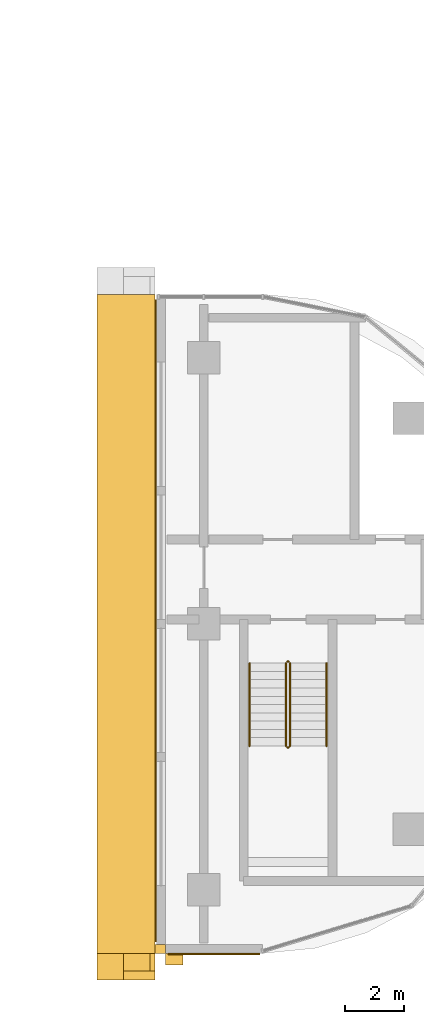
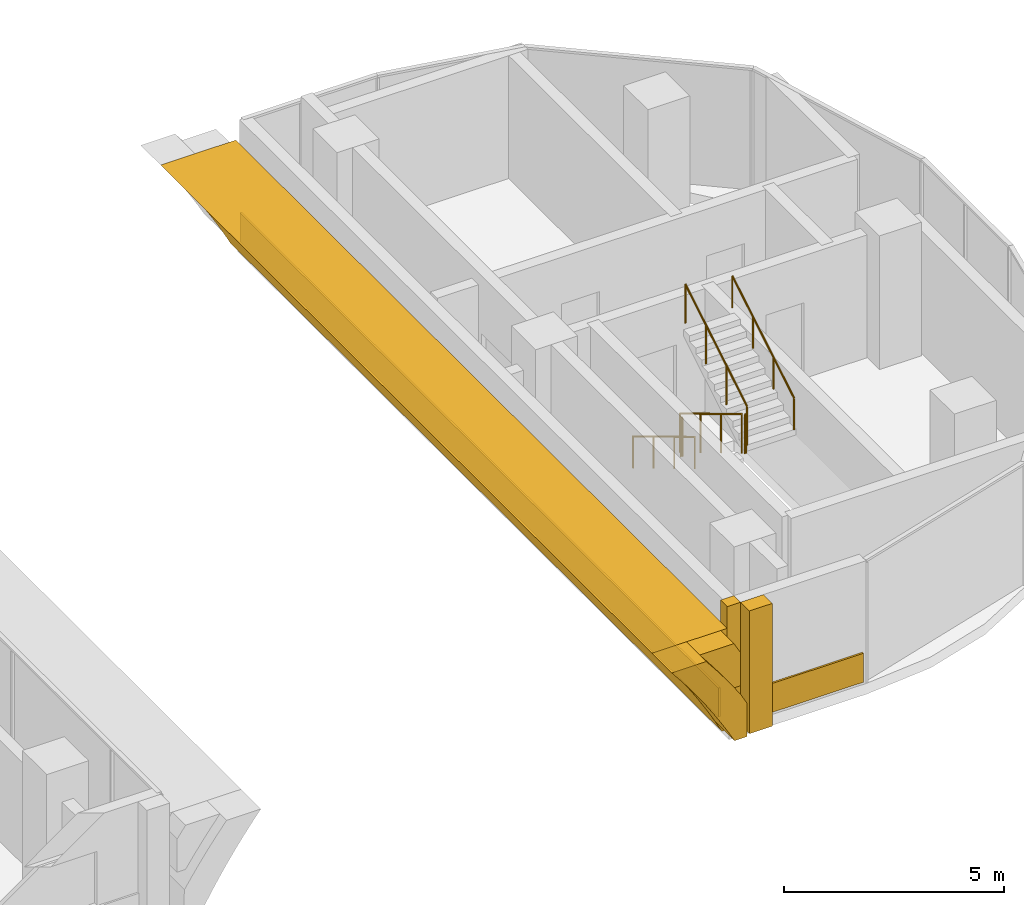
# One storey, part 21 of 23: 7 coverings, 6 railings.
"""IFC4 building model written with IfcOpenShell, lengths in metres."""

from ifc_helpers import new_model, si_unit, direction, frame, origin, origin_2d, place, context, subcontext, project, spatial, polyline, rectangle, circle, outline, extrude, material, layer, layer_set, type_object, element, save


model = new_model("IFC4")

# Units and contexts
model_context = context("Model", 3, precision=1e-05, world=origin(), true_north=direction((0.0, 1.0)))
body_context = subcontext(model_context, "Body", "Model", "MODEL_VIEW")
ifc_project = project(units=[si_unit("LENGTHUNIT", "METRE"), si_unit("AREAUNIT", "SQUARE_METRE"), si_unit("VOLUMEUNIT", "CUBIC_METRE"), si_unit("PLANEANGLEUNIT", "RADIAN"), si_unit("MASSUNIT", "GRAM", prefix="KILO")], contexts=[model_context])

# Site, building, storey
site_placement = place(None, origin())
site = spatial("IfcSite", under=ifc_project, at=site_placement, CompositionType="ELEMENT")
building_placement = place(site_placement, origin())
building = spatial("IfcBuilding", under=site, at=building_placement, Name="Ogive Portal Towers", CompositionType="ELEMENT")
storey_placement = place(building_placement, frame((0.0, 0.0, 175.5)))
storey = spatial("IfcBuildingStorey", under=building, at=storey_placement, Name="L43", CompositionType="ELEMENT", Elevation=175.5)

# Railings
ifc_material_1 = material(Name="Stainless steel balustrade", Category="steel")
railing_type_1 = type_object("IfcRailingType", Name="INT-GUARD", PredefinedType="GUARDRAIL", material=ifc_material_1)
railing_1_placement = place(storey_placement, frame((88.280029296875, 29.169921875, 0.168212890625)))
element("IfcRailing", 1, at=railing_1_placement, inside=storey, type_object=railing_type_1, Name="L43 ST-A4 stair guard 1", PredefinedType="GUARDRAIL", context=body_context, shape_type="SweptSolid", body=[
    extrude(circle(Radius=0.02392578125, at=origin_2d()), frame((0.0, 0.0, 1.076171875), z_axis=(0.0, -0.857222391501, 0.514946377315), x_axis=(1.0, 0.0, 0.0)), (0.0, 0.0, 1.0), 3.26611328125),
    extrude(circle(Radius=0.02099609375, at=origin_2d()), origin(), (0.0, 0.0, 1.0), 1.052001953125),
    extrude(circle(Radius=0.02099609375, at=origin_2d()), frame((0.0, -0.933349609375, 0.560546875)), (0.0, 0.0, 1.0), 1.052001953125),
    extrude(circle(Radius=0.02099609375, at=origin_2d()), frame((0.0, -1.866455078125, 1.121337890625)), (0.0, 0.0, 1.0), 1.052001953125),
    extrude(circle(Radius=0.02099609375, at=origin_2d()), frame((0.0, -2.7998046875, 1.681884765625)), (0.0, 0.0, 1.0), 1.052001953125),
])
railing_2_placement = place(storey_placement, frame((88.330078125, 26.320068359375, 1.85009765625)))
element("IfcRailing", 2, at=railing_2_placement, inside=storey, type_object=railing_type_1, Name="L43 ST-A4 stair guard 2", PredefinedType="GUARDRAIL", context=body_context, shape_type="SweptSolid", body=[
    extrude(circle(Radius=0.02392578125, at=origin_2d()), frame((0.0, 0.0, 1.076171875), z_axis=(1.0, 0.0, 0.0), x_axis=(0.0, 1.0, 0.0)), (0.0, 0.0, 1.0), 0.0400390625),
    extrude(circle(Radius=0.02099609375, at=origin_2d()), origin(), (0.0, 0.0, 1.0), 1.052001953125),
    extrude(circle(Radius=0.02099609375, at=origin_2d()), frame((0.0400390625, 0.0, 0.0)), (0.0, 0.0, 1.0), 1.052001953125),
])
railing_3_placement = place(storey_placement, frame((88.419921875, 26.3701171875, 2.01806640625)))
element("IfcRailing", 3, at=railing_3_placement, inside=storey, type_object=railing_type_1, Name="L43 ST-A4 stair guard 3", PredefinedType="GUARDRAIL", context=body_context, shape_type="SweptSolid", body=[
    extrude(circle(Radius=0.02392578125, at=origin_2d()), frame((0.0, 0.0, 1.076171875), z_axis=(0.0, 0.857222391501, 0.514946377315), x_axis=(-1.0, 0.0, 0.0)), (0.0, 0.0, 1.0), 3.26611328125),
    extrude(circle(Radius=0.02099609375, at=origin_2d()), origin(), (0.0, 0.0, 1.0), 1.052001953125),
    extrude(circle(Radius=0.02099609375, at=origin_2d()), frame((0.0, 0.933349609375, 0.560546875)), (0.0, 0.0, 1.0), 1.052001953125),
    extrude(circle(Radius=0.02099609375, at=origin_2d()), frame((0.0, 1.866455078125, 1.121337890625)), (0.0, 0.0, 1.0), 1.052001953125),
    extrude(circle(Radius=0.02099609375, at=origin_2d()), frame((0.0, 2.7998046875, 1.681884765625)), (0.0, 0.0, 1.0), 1.052001953125),
])
railing_4_placement = place(storey_placement, frame((88.330078125, 29.219970703125, 0.0)))
element("IfcRailing", 4, at=railing_4_placement, inside=storey, type_object=railing_type_1, Name="L43 ST-A4 stair guard 4", PredefinedType="GUARDRAIL", context=body_context, shape_type="SweptSolid", body=[
    extrude(circle(Radius=0.02392578125, at=origin_2d()), frame((0.0, 0.0, 1.076171875), z_axis=(1.0, 0.0, 0.0), x_axis=(0.0, 1.0, 0.0)), (0.0, 0.0, 1.0), 0.0400390625),
    extrude(circle(Radius=0.02099609375, at=origin_2d()), origin(), (0.0, 0.0, 1.0), 1.052001953125),
    extrude(circle(Radius=0.02099609375, at=origin_2d()), frame((0.0400390625, 0.0, 0.0)), (0.0, 0.0, 1.0), 1.052001953125),
])
ifc_material_2 = material(Name="Stainless steel handrail", Category="steel")
railing_type_2 = type_object("IfcRailingType", Name="INT-HANDRAIL", PredefinedType="HANDRAIL", material=ifc_material_2)
railing_5_placement = place(storey_placement, frame((87.050048828125, 29.169921875, 0.168212890625)))
element("IfcRailing", 5, at=railing_5_placement, inside=storey, type_object=railing_type_2, Name="L43 ST-A4 stair handrail 1", PredefinedType="HANDRAIL", context=body_context, shape_type="SweptSolid", body=[
    extrude(circle(Radius=0.02392578125, at=origin_2d()), frame((0.0, 0.0, 0.8759765625), z_axis=(0.0, -0.857222391501, 0.514946377315), x_axis=(1.0, 0.0, 0.0)), (0.0, 0.0, 1.0), 3.26611328125),
    extrude(circle(Radius=0.02099609375, at=origin_2d()), origin(), (0.0, 0.0, 1.0), 0.851806640625),
    extrude(circle(Radius=0.02099609375, at=origin_2d()), frame((0.0, -0.933349609375, 0.560546875)), (0.0, 0.0, 1.0), 0.851806640625),
    extrude(circle(Radius=0.02099609375, at=origin_2d()), frame((0.0, -1.866455078125, 1.121337890625)), (0.0, 0.0, 1.0), 0.851806640625),
    extrude(circle(Radius=0.02099609375, at=origin_2d()), frame((0.0, -2.7998046875, 1.681884765625)), (0.0, 0.0, 1.0), 0.851806640625),
])
railing_6_placement = place(storey_placement, frame((89.64990234375, 26.3701171875, 2.01806640625)))
element("IfcRailing", 6, at=railing_6_placement, inside=storey, type_object=railing_type_2, Name="L43 ST-A4 stair handrail 2", PredefinedType="HANDRAIL", context=body_context, shape_type="SweptSolid", body=[
    extrude(circle(Radius=0.02392578125, at=origin_2d()), frame((0.0, 0.0, 0.8759765625), z_axis=(0.0, 0.857222391501, 0.514946377315), x_axis=(-1.0, 0.0, 0.0)), (0.0, 0.0, 1.0), 3.26611328125),
    extrude(circle(Radius=0.02099609375, at=origin_2d()), origin(), (0.0, 0.0, 1.0), 0.851806640625),
    extrude(circle(Radius=0.02099609375, at=origin_2d()), frame((0.0, 0.933349609375, 0.560546875)), (0.0, 0.0, 1.0), 0.851806640625),
    extrude(circle(Radius=0.02099609375, at=origin_2d()), frame((0.0, 1.866455078125, 1.121337890625)), (0.0, 0.0, 1.0), 0.851806640625),
    extrude(circle(Radius=0.02099609375, at=origin_2d()), frame((0.0, 2.7998046875, 1.681884765625)), (0.0, 0.0, 1.0), 0.851806640625),
])

# Coverings
ifc_material_3 = material(Name="Limestone cladding on lightweight block wall", Category="masonry")
ifc_layer_1 = layer(ifc_material_3, 0.300048828125)
ifc_layer_set_1 = layer_set([ifc_layer_1], Name="OGIVE SOFFIT STONE")
covering_type_1 = type_object("IfcCoveringType", Name="OGIVE SOFFIT STONE", PredefinedType="CLADDING", material=ifc_layer_set_1)
covering_1_placement = place(storey_placement, frame((83.85009765625, 41.64501953125, 0.0), z_axis=(0.0, 1.0, 0.0), x_axis=(-1.0, 0.0, 0.0)))
element("IfcCovering", 7, at=covering_1_placement, inside=storey, type_object=covering_type_1, Name="OGIVE SOFFIT E L43", PredefinedType="CLADDING", context=body_context, shape_type="SweptSolid", body=[
    extrude(outline(polyline([(0.0, 0.0), (0.141357421875, 0.0), (0.326904296875, 0.35009765625), (0.5234375, 0.699951171875), (0.731689453125, 1.050048828125), (0.952392578125, 1.39990234375), (1.185791015625, 1.75), (1.4326171875, 2.10009765625), (1.693603515625, 2.449951171875), (1.969970703125, 2.800048828125), (0.0, 2.800048828125), (0.0, 0.0)])), origin(), (0.0, 0.0, -1.0), 22.2900390625),
])
covering_2_placement = place(storey_placement, frame((84.02490234375, 19.5048828125, 0.0), z_axis=(0.0, 0.0, 1.0), x_axis=(1.0, 0.0, 0.0)))
element("IfcCovering", 8, at=covering_2_placement, inside=storey, type_object=covering_type_1, Name="OGIVE SOFFIT RETURN E L43", PredefinedType="CLADDING", context=body_context, shape_type="SweptSolid", body=[
    extrude(rectangle(XDim=0.35009765625, YDim=0.300048828125, at=origin_2d()), origin(), (0.0, 0.0, 1.0), 3.39990234375),
])
ifc_layer_2 = layer(ifc_material_3, 0.60009765625)
ifc_layer_set_2 = layer_set([ifc_layer_2], Name="PORTAL ARCHIVOLT STONE")
covering_type_2 = type_object("IfcCoveringType", Name="PORTAL ARCHIVOLT STONE", PredefinedType="CLADDING", material=ifc_layer_set_2)
covering_3_placement = place(storey_placement, frame((83.523193359375, 19.35498046875, 0.35009765625), z_axis=(0.0, 1.0, 0.0), x_axis=(-0.488476231878, 0.0, 0.872577200533)))
element("IfcCovering", 9, at=covering_3_placement, inside=storey, type_object=covering_type_2, Name="PORTAL ARCHIVOLT E L43", PredefinedType="CLADDING", context=body_context, shape_type="SweptSolid", body=[
    extrude(outline(polyline([(0.0, 0.0), (0.3508598936149724, 0.0), (0.7061322922542294, -0.007882167094662107), (1.06603022746087, -0.02352724439143805), (1.4304854068263406, -0.047812840304721105), (1.7998301187862886, -0.08083272948506237), (2.174635165561458, -0.12310674966921009), (2.554687515608749, -0.17475415774971292), (2.9403704218478044, -0.23695936833461362), (2.500789515915028, 0.5482748995282088), (2.1151066096759727, 0.6104801101131097), (1.7349350027361334, 0.6623405497367113), (1.3602492128535124, 0.7044015383777602), (0.9909045008935642, 0.7374214275581015), (0.6419527175593636, 0.7340129228685177), (0.3745981309701496, 0.584345522720489), (0.10745657592403471, 0.4347973794650084), (-0.15968497912208016, 0.2852492362095278), (0.0, 0.0)])), origin(), (0.0, 0.0, -1.0), 0.89990234375),
])
covering_4_placement = place(storey_placement, frame((83.6826171875, 19.35498046875, 1.574951171875), z_axis=(0.0, 1.0, 0.0), x_axis=(-0.564235385534, 0.0, 0.825613971364)))
element("IfcCovering", 10, at=covering_4_placement, inside=storey, type_object=covering_type_2, Name="PORTAL ARCHIVOLT E L43", PredefinedType="CLADDING", context=body_context, shape_type="SweptSolid", body=[
    extrude(outline(polyline([(0.0, 0.0), (0.37081778454418696, 0.0), (0.7477605045252168, -0.008529581392364927), (1.1310398523711258, -0.026331194689699022), (1.5207297677302791, -0.053945724493628444), (1.0128352690822477, 0.6892277892807371), (0.6641956820651377, 0.6567756776133454), (0.4112304637882652, 0.4838959391258816), (0.1582652455113927, 0.31101620063841773), (-0.09449840685450217, 0.1382742149306251), (0.0, 0.0)])), origin(), (0.0, 0.0, -1.0), 0.60009765625),
])
ifc_layer_3 = layer(ifc_material_3, 0.39990234375)
ifc_layer_set_3 = layer_set([ifc_layer_3], Name="PORTAL BUTTRESS STONE")
covering_type_3 = type_object("IfcCoveringType", Name="PORTAL BUTTRESS STONE", PredefinedType="CLADDING", material=ifc_layer_set_3)
covering_5_placement = place(storey_placement, frame((84.5, 19.155029296875, 0.0), z_axis=(0.0, 0.0, 1.0), x_axis=(1.0, 0.0, 0.0)))
element("IfcCovering", 11, at=covering_5_placement, inside=storey, type_object=covering_type_3, Name="PORTAL BUTTRESS", PredefinedType="CLADDING", context=body_context, shape_type="SweptSolid", body=[
    extrude(rectangle(XDim=0.60009765625, YDim=0.39990234375, at=origin_2d()), origin(), (0.0, 0.0, 1.0), 3.39990234375),
])
ifc_layer_4 = layer(ifc_material_3, 0.050048828125)
ifc_layer_set_4 = layer_set([ifc_layer_4], Name="SCREEN PERFORATED STONE")
covering_type_4 = type_object("IfcCoveringType", Name="SCREEN PERFORATED STONE", PredefinedType="CLADDING", material=ifc_layer_set_4)
covering_6_placement = place(storey_placement, frame((83.875, 30.610107421875, 0.10009765625), z_axis=(0.0, 0.0, 1.0), x_axis=(0.0, -1.0, 0.0)))
element("IfcCovering", 12, at=covering_6_placement, inside=storey, type_object=covering_type_4, Name="Tracery screen", PredefinedType="CLADDING", context=body_context, shape_type="SweptSolid", body=[
    extrude(rectangle(XDim=21.7099609375, YDim=0.050048828125, at=origin_2d()), origin(), (0.0, 0.0, 1.0), 0.800048828125),
])
covering_7_placement = place(storey_placement, frame((85.843994140625, 19.330078125, 0.10009765625), z_axis=(0.0, 0.0, 1.0), x_axis=(1.0, 0.0, 0.0)))
element("IfcCovering", 13, at=covering_7_placement, inside=storey, type_object=covering_type_4, Name="Tracery screen", PredefinedType="CLADDING", context=body_context, shape_type="SweptSolid", body=[
    extrude(rectangle(XDim=3.088134765625, YDim=0.050048828125, at=origin_2d()), origin(), (0.0, 0.0, 1.0), 0.800048828125),
])

save(model, "model.ifc")
